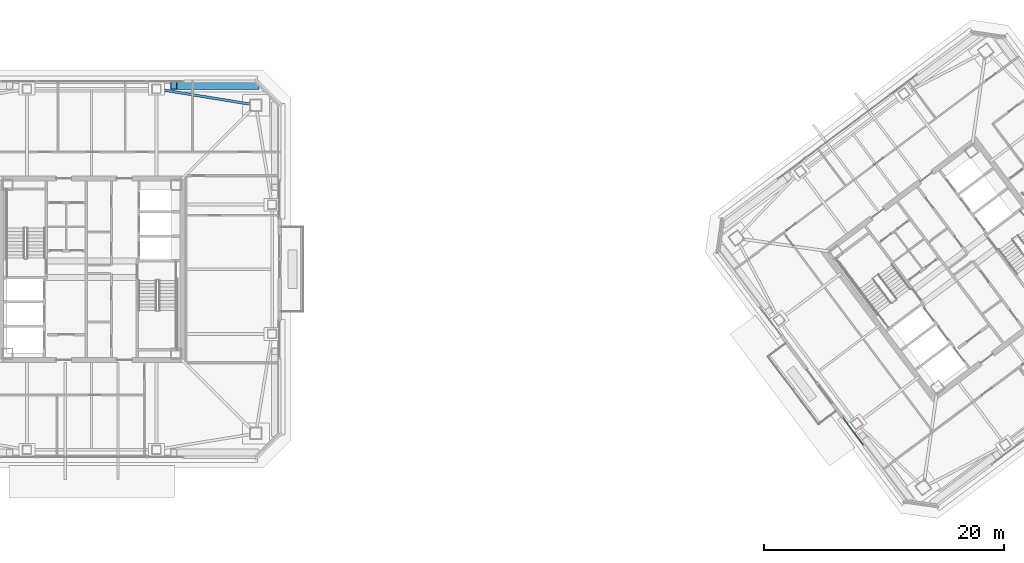
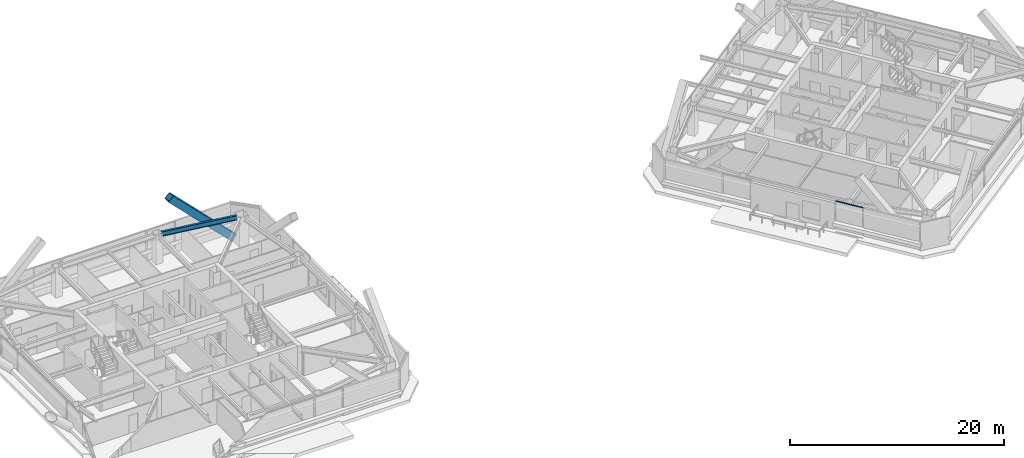
# One storey, part 14 of 39: 3 members, 1 beam, 1 element without a shape of its own.
"""IFC4 building model written with IfcOpenShell, lengths in metres."""

from ifc_helpers import new_model, si_unit, direction, frame, origin, origin_2d, place, context, subcontext, project, spatial, hollow_rectangle, i_section, extrude, material, material_profile, profile_set, type_object, element, aggregate, save


model = new_model("IFC4")

# Units and contexts
model_context = context("Model", 3, precision=1e-05, world=origin(), true_north=direction((0.0, 1.0)))
body_context = subcontext(model_context, "Body", "Model", "MODEL_VIEW")
ifc_project = project(units=[si_unit("LENGTHUNIT", "METRE"), si_unit("AREAUNIT", "SQUARE_METRE"), si_unit("VOLUMEUNIT", "CUBIC_METRE"), si_unit("PLANEANGLEUNIT", "RADIAN"), si_unit("MASSUNIT", "GRAM", prefix="KILO")], contexts=[model_context])

# Site, building, storey
site_placement = place(None, origin())
site = spatial("IfcSite", under=ifc_project, at=site_placement, CompositionType="ELEMENT")
building_placement = place(site_placement, origin())
building = spatial("IfcBuilding", under=site, at=building_placement, Name="Tashvorn Skyway Center", CompositionType="ELEMENT")
storey_placement = place(building_placement, frame((0.0, 0.0, 232.60009765625)))
storey = spatial("IfcBuildingStorey", under=building, at=storey_placement, Name="L63", CompositionType="ELEMENT", Elevation=232.60009765625)

# Beam
ifc_material_1 = material(Name="Steel ASTM A992 Grade 50", Category="steel")
ifc_material_profile_1 = material_profile(ifc_material_1, i_section(OverallWidth=0.2109375, OverallDepth=0.5390625, WebThickness=0.01171875, FlangeThickness=0.018798828125, at=origin_2d()), Name="W21X73")
ifc_profile_set_1 = profile_set([ifc_material_profile_1], Name="Steel ASTM A992 Grade 50")
beam_type = type_object("IfcBeamType", Name="BM-SPANDREL-W21X73", PredefinedType="SPANDREL", material=ifc_profile_set_1)
beam_placement = place(storey_placement, frame((55.21142578125, 45.779541015625, 3.100341796875), z_axis=(-0.987033514444, 0.160514302677, 0.0), x_axis=(-0.160514302677, -0.987033514444, 0.0)))
element("IfcBeam", 1, at=beam_placement, inside=storey, type_object=beam_type, Name="Tower 1 L63 Spandrel Beam 07", PredefinedType="SPANDREL", context=body_context, shape_type="SweptSolid", body=[
    extrude(i_section(OverallWidth=0.2109375, OverallDepth=0.5390625, WebThickness=0.01171875, FlangeThickness=0.018798828125, at=origin_2d()), origin(), (0.0, 0.0, 1.0), 7.544189453125),
])

# Curtain wall, members
ifc_material_2 = material(Name="Thermally broken bronze-anodized aluminium 6063-T6", Category="aluminium")
curtain_wall_type = type_object("IfcCurtainWallType", Name="CW-CW-Z5", PredefinedType="NOTDEFINED", material=ifc_material_2)
curtain_wall_placement = place(storey_placement, origin())
curtain_wall = element("IfcCurtainWall", 2, at=curtain_wall_placement, inside=storey, type_object=curtain_wall_type, Name="Tower 2 L63 West Curtain Wall L Glazing Group 1", PredefinedType="NOTDEFINED")
ifc_material_profile_2 = material_profile(ifc_material_2, hollow_rectangle(XDim=0.070068359375, YDim=0.114990234375, WallThickness=0.00390625, at=origin_2d()), Name="ALU-TRAN-70x115")
ifc_profile_set_2 = profile_set([ifc_material_profile_2], Name="Thermally broken bronze-anodized aluminium 6063-T6")
member_type_1 = type_object("IfcMemberType", Name="CWT-CW-Z5", PredefinedType="USERDEFINED", material=ifc_profile_set_2)
member_1_placement = place(storey_placement, frame((106.3701171875, 17.373291015625, 0.034912109375), z_axis=(-0.600027867403, 0.799979098689, 0.0), x_axis=(-0.799979098689, -0.600027867403, 0.0)))
member_1 = element("IfcMember", 3, at=member_1_placement, type_object=member_type_1, Name="CW-Z5 transom 1.1", ObjectType="TRANSOM", PredefinedType="USERDEFINED", context=body_context, shape_type="SweptSolid", body=[
    extrude(hollow_rectangle(XDim=0.070068359375, YDim=0.114990234375, WallThickness=0.00390625, at=origin_2d()), origin(), (0.0, 0.0, 1.0), 2.803466796875),
])
member_2_placement = place(storey_placement, frame((106.3701171875, 17.373291015625, 3.514892578125), z_axis=(-0.600027867403, 0.799979098689, 0.0), x_axis=(-0.799979098689, -0.600027867403, 0.0)))
member_2 = element("IfcMember", 4, at=member_2_placement, type_object=member_type_1, Name="CW-Z5 transom 1.2", ObjectType="TRANSOM", PredefinedType="USERDEFINED", context=body_context, shape_type="SweptSolid", body=[
    extrude(hollow_rectangle(XDim=0.070068359375, YDim=0.114990234375, WallThickness=0.00390625, at=origin_2d()), origin(), (0.0, 0.0, 1.0), 2.803466796875),
])
aggregate(curtain_wall, [member_1, member_2])

# Member
ifc_material_3 = material(Name="Steel ASTM A572 Grade 50", Category="steel")
ifc_material_profile_3 = material_profile(ifc_material_3, hollow_rectangle(XDim=0.75, YDim=0.75, WallThickness=0.031982421875, at=origin_2d()), Name="BOX750x750x32")
ifc_profile_set_3 = profile_set([ifc_material_profile_3], Name="Steel ASTM A572 Grade 50")
member_type_2 = type_object("IfcMemberType", Name="MEM-MB-750", PredefinedType="BRACE", material=ifc_profile_set_3)
member_3_placement = place(storey_placement, frame((55.699951171875, 47.3798828125, -0.2001953125), z_axis=(-0.707094180045, 0.0, 0.707119382104), x_axis=(0.0, -1.0, 0.0)))
element("IfcMember", 5, at=member_3_placement, inside=storey, type_object=member_type_2, Name="Tower 1 Zone 6 N Chevron Mega-Brace L1", PredefinedType="BRACE", context=body_context, shape_type="SweptSolid", body=[
    extrude(hollow_rectangle(XDim=0.75, YDim=0.75, WallThickness=0.031982421875, at=origin_2d()), origin(), (0.0, 0.0, 1.0), 9.687255859375),
])

save(model, "model.ifc")
